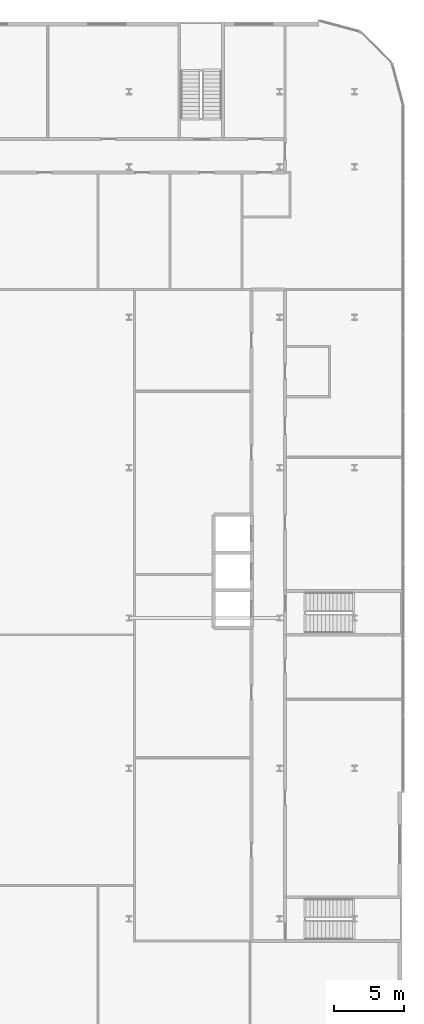
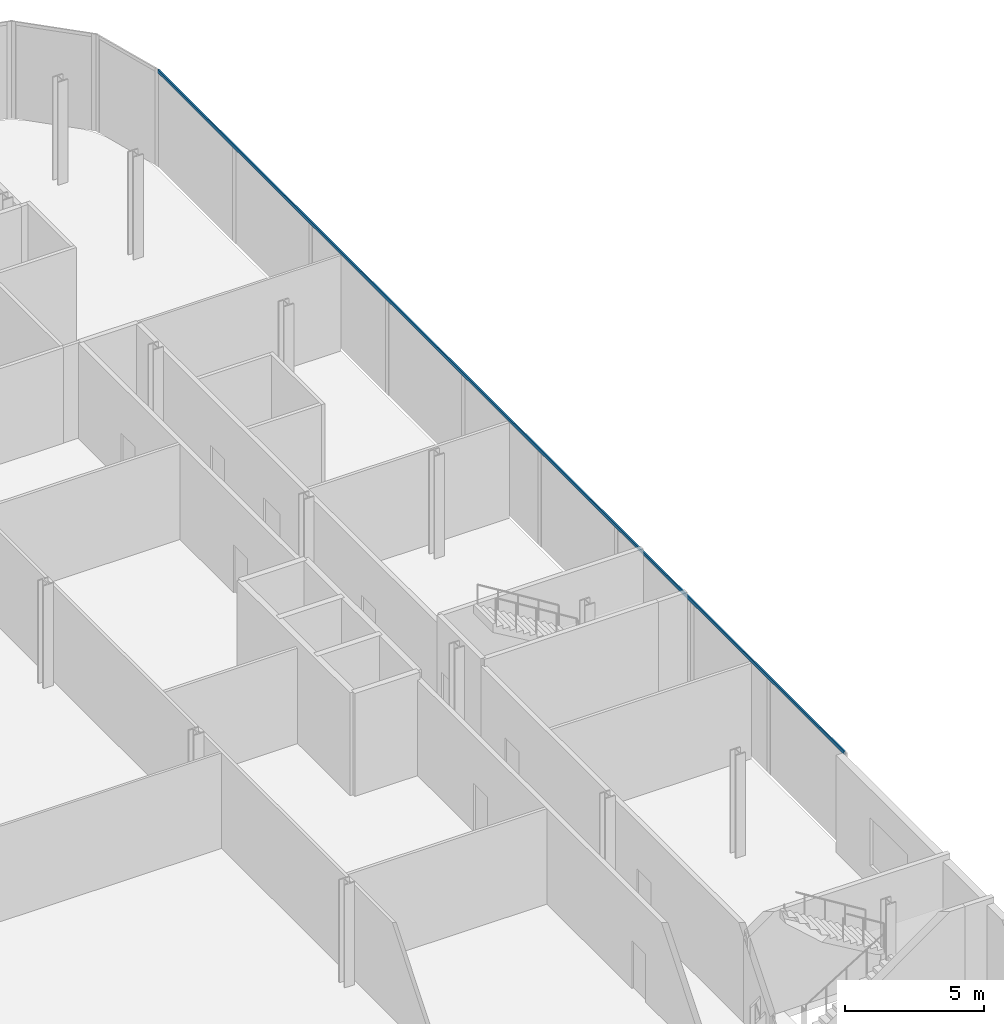
# One storey, part 20 of 47: 1 member, 1 element without a shape of its own.
"""IFC4 building model written with IfcOpenShell, lengths in metres."""

import ifcopenshell
import ifcopenshell.guid

model = None  # the IFC model being written
_history = None  # IfcOwnerHistory: only IFC2X3 demands one
_inside = {}  # id of a spatial element -> (the spatial element, [elements in it])
_under = {}  # id of a project, library or spatial element -> (it, [spatial elements below it])
_declared = {}  # id of a project -> (the project, [libraries it declares])
_typed = {}  # id of a type object -> (the type object, [elements of that type])
_made_of = {}  # id of a material, layer set ... -> (it, [elements and type objects made of it])


def new_model(schema):
    """Start an empty IFC model of exactly this schema.

    Asked for "IFC4X3", IfcOpenShell would pick the latest addendum, in which some entities
    have other attributes; the version numbers below select the first issue.
    IFC2X3 requires an IfcOwnerHistory on every rooted entity: one is made here for all.
    """
    global model, _history
    if schema == "IFC4X3":
        model = ifcopenshell.file(schema_version=(4, 3, 0, 0))
    else:
        model = ifcopenshell.file(schema=schema)
    _inside.clear()
    _under.clear()
    _declared.clear()
    _typed.clear()
    _made_of.clear()
    _history = None
    if model.schema == "IFC2X3":
        org = make("IfcOrganization", Name="unknown")
        user = make(
            "IfcPersonAndOrganization",
            ThePerson=make("IfcPerson", FamilyName="unknown"),
            TheOrganization=org,
        )
        app = make(
            "IfcApplication",
            ApplicationDeveloper=org,
            Version="unknown",
            ApplicationFullName="unknown",
            ApplicationIdentifier="unknown",
        )
        _history = make(
            "IfcOwnerHistory",
            OwningUser=user,
            OwningApplication=app,
            ChangeAction="ADDED",
            CreationDate=0,
        )
    return model


def make(cls, **values):
    """One entity of the class cls with the attributes given. An attribute that is None is left unset."""
    return model.create_entity(
        cls, **{name: value for name, value in values.items() if value is not None}
    )


def rooted(cls, **values):
    """An entity with a GlobalId (a new one), such as an element, a storey or a relation."""
    return make(cls, GlobalId=ifcopenshell.guid.new(), OwnerHistory=_history, **values)


def si_unit(unit_type, name, prefix=None):
    """IfcSIUnit, for example si_unit("LENGTHUNIT", "METRE", prefix="MILLI")."""
    return make("IfcSIUnit", UnitType=unit_type, Prefix=prefix, Name=name)


def assignment(units):
    """IfcUnitAssignment: the units of a project."""
    return None if units is None else make("IfcUnitAssignment", Units=units)


def point(xyz):
    """IfcCartesianPoint."""
    return None if xyz is None else make("IfcCartesianPoint", Coordinates=xyz)


def direction(xyz):
    """IfcDirection."""
    return None if xyz is None else make("IfcDirection", DirectionRatios=xyz)


def frame(location, z_axis=None, x_axis=None):
    """IfcAxis2Placement3D, a coordinate frame: its origin and axes. An axis left out is left unset."""
    return make(
        "IfcAxis2Placement3D",
        Location=point(location),
        Axis=direction(z_axis),
        RefDirection=direction(x_axis),
    )


def frame_2d(location, x_axis=None):
    """IfcAxis2Placement2D, a coordinate frame in the plane: its origin and x axis."""
    return make(
        "IfcAxis2Placement2D", Location=point(location), RefDirection=direction(x_axis)
    )


def origin():
    """The frame at (0, 0, 0) with its axes left unset."""
    return frame((0.0, 0.0, 0.0))


def origin_2d():
    """The frame at (0, 0) in the plane with its x axis left unset."""
    return frame_2d((0.0, 0.0))


def place(relative_to, where):
    """IfcLocalPlacement: puts the frame where relative to a parent placement (None: the world)."""
    return make(
        "IfcLocalPlacement", PlacementRelTo=relative_to, RelativePlacement=where
    )


def context(
    kind, dimensions, precision=None, world=None, true_north=None, identifier=None
):
    """IfcGeometricRepresentationContext, for example the 3D "Model" context."""
    return make(
        "IfcGeometricRepresentationContext",
        ContextIdentifier=identifier,
        ContextType=kind,
        CoordinateSpaceDimension=dimensions,
        Precision=precision,
        WorldCoordinateSystem=world,
        TrueNorth=true_north,
    )


def subcontext(parent, identifier, kind, view, scale=None):
    """IfcGeometricRepresentationSubContext, for example "Body" below "Model"."""
    return make(
        "IfcGeometricRepresentationSubContext",
        ContextIdentifier=identifier,
        ContextType=kind,
        ParentContext=parent,
        TargetScale=scale,
        TargetView=view,
    )


def project(units=None, contexts=None):
    """IfcProject with its units and contexts."""
    return rooted(
        "IfcProject",
        Name="project",
        RepresentationContexts=contexts,
        UnitsInContext=assignment(units),
    )


def spatial(cls, under=None, at=None, **own):
    """A site, building, storey or space (cls), placed at a placement, below another one or the project."""
    s = rooted(cls, ObjectPlacement=at, **own)
    if under is not None:
        _under.setdefault(under.id(), (under, []))[1].append(s)
    return s


def profile(cls, at=None, kind="AREA", **sizes):
    """A parametric profile (cls). Its sizes go by their IFC names, for example OverallWidth=200.0."""
    return make(cls, ProfileType=kind, Position=at, **sizes)


def rectangle(**sizes):
    """IfcRectangleProfileDef."""
    return profile("IfcRectangleProfileDef", **sizes)


def extrude(swept, where, along, depth):
    """IfcExtrudedAreaSolid: the profile swept, set in the frame where, extruded along a direction by depth."""
    return make(
        "IfcExtrudedAreaSolid",
        SweptArea=swept,
        Position=where,
        ExtrudedDirection=direction(along),
        Depth=depth,
    )


def shape(context_of_items, identifier, shape_type, items):
    """IfcShapeRepresentation: the items that make up one representation, for example the "Body"."""
    return make(
        "IfcShapeRepresentation",
        ContextOfItems=context_of_items,
        RepresentationIdentifier=identifier,
        RepresentationType=shape_type,
        Items=items,
    )


def material(Name=None, Category=None):
    """IfcMaterial."""
    return make("IfcMaterial", Name=Name, Category=Category)


def layer(
    of_material, thickness, ventilated=None, Name=None, Category=None, Priority=None
):
    """IfcMaterialLayer: one layer of a wall or slab, of a material (None: an air gap)."""
    return make(
        "IfcMaterialLayer",
        Material=of_material,
        LayerThickness=thickness,
        IsVentilated=ventilated,
        Name=Name,
        Category=Category,
        Priority=Priority,
    )


def layer_set(layers, Name=None):
    """IfcMaterialLayerSet."""
    return make("IfcMaterialLayerSet", MaterialLayers=layers, LayerSetName=Name)


def material_profile(
    of_material, cross_section, Name=None, Category=None, Priority=None
):
    """IfcMaterialProfile: a cross section and its material."""
    return make(
        "IfcMaterialProfile",
        Name=Name,
        Material=of_material,
        Profile=cross_section,
        Priority=Priority,
        Category=Category,
    )


def profile_set(profiles, Name=None, composite=None):
    """IfcMaterialProfileSet."""
    return make(
        "IfcMaterialProfileSet",
        Name=Name,
        MaterialProfiles=profiles,
        CompositeProfile=composite,
    )


def made_of(thing, what):
    """Note that an element or type object is made of a material, layer set ...; save() writes the relation."""
    if what is not None:
        _made_of.setdefault(what.id(), (what, []))[1].append(thing)
    return thing


def type_object(cls, material=None, **own):
    """A type object (cls), such as IfcWallType, which elements share."""
    return made_of(rooted(cls, **own), material)


def element(
    cls,
    number,
    at=None,
    inside=None,
    cuts=None,
    type_object=None,
    material=None,
    context=None,
    identifier="Body",
    shape_type=None,
    held_by="IfcProductDefinitionShape",
    body=None,
    shapes=None,
    **own,
):
    """One element of the class cls, such as IfcWall. Its Tag is "e" and its number.

    at: its placement. inside: the storey or other place that contains it. cuts: it is an
    opening in that element (IfcRelVoidsElement). A single representation is given by context,
    identifier, shape_type and body (its items); several are given by shapes. held_by: the class
    of the entity that holds the representations. save() writes the other relations.
    """
    e = rooted(cls, Tag="e%d" % number, ObjectPlacement=at, **own)
    if body is not None:
        shapes = [shape(context, identifier, shape_type, body)]
    if shapes is not None:
        e.Representation = make(held_by, Representations=shapes)
    if inside is not None:
        _inside.setdefault(inside.id(), (inside, []))[1].append(e)
    if cuts is not None:
        rooted(
            "IfcRelVoidsElement", RelatingBuildingElement=cuts, RelatedOpeningElement=e
        )
    if type_object is not None:
        _typed.setdefault(type_object.id(), (type_object, []))[1].append(e)
    return made_of(e, material)


def aggregate(whole, parts):
    """IfcRelAggregates: a whole, such as a stair, and the parts it consists of."""
    return rooted("IfcRelAggregates", RelatingObject=whole, RelatedObjects=parts)


def save(model, path):
    """Write the relations noted so far, then the file.

    IfcRelAggregates (storeys below a building ...), IfcRelContainedInSpatialStructure (elements
    in a storey), IfcRelDefinesByType, IfcRelAssociatesMaterial and IfcRelDeclares: one each for
    every whole, place, type object, material and project.
    """
    for whole, parts in _under.values():
        aggregate(whole, parts)
    for where, things in _inside.values():
        rooted(
            "IfcRelContainedInSpatialStructure",
            RelatedElements=things,
            RelatingStructure=where,
        )
    for kind, things in _typed.values():
        rooted("IfcRelDefinesByType", RelatedObjects=things, RelatingType=kind)
    for what, things in _made_of.values():
        rooted("IfcRelAssociatesMaterial", RelatedObjects=things, RelatingMaterial=what)
    for by, libraries in _declared.values():
        rooted("IfcRelDeclares", RelatingContext=by, RelatedDefinitions=libraries)
    model.write(path)


model = new_model("IFC4")

# Units and contexts
model_context = context("Model", 3, precision=1e-05, world=origin(), true_north=direction((0.0, 1.0)))
body_context = subcontext(model_context, "Body", "Model", "MODEL_VIEW")
ifc_project = project(units=[si_unit("LENGTHUNIT", "METRE"), si_unit("AREAUNIT", "SQUARE_METRE"), si_unit("VOLUMEUNIT", "CUBIC_METRE"), si_unit("PLANEANGLEUNIT", "RADIAN"), si_unit("MASSUNIT", "GRAM", prefix="KILO")], contexts=[model_context])

# Site, building, storey
site_placement = place(None, origin())
site = spatial("IfcSite", under=ifc_project, at=site_placement, CompositionType="ELEMENT")
building_placement = place(site_placement, origin())
building = spatial("IfcBuilding", under=site, at=building_placement, Name="Kheshtan School and Residences Tower", CompositionType="ELEMENT")
storey_placement = place(building_placement, frame((0.0, 0.0, 12.5)))
storey = spatial("IfcBuildingStorey", under=building, at=storey_placement, Name="L02", CompositionType="ELEMENT", Elevation=12.5)

# Curtain wall, member
ifc_material_1 = material(Name="Clear low-e glass in thermally broken aluminium frame", Category="aluminium")
ifc_layer = layer(ifc_material_1, 0.22509765625)
ifc_layer_set = layer_set([ifc_layer], Name="Curtain wall CW-P")
curtain_wall_type = type_object("IfcCurtainWallType", Name="Curtain wall CW-P", PredefinedType="NOTDEFINED", material=ifc_layer_set)
curtain_wall_placement = place(storey_placement, origin())
curtain_wall = element("IfcCurtainWall", 1, at=curtain_wall_placement, inside=storey, type_object=curtain_wall_type, Name="Curtain wall CWP8a", PredefinedType="NOTDEFINED")
ifc_material_2 = material(Name="Thermally broken aluminium, dark bronze anodised", Category="aluminium")
ifc_material_profile = material_profile(ifc_material_2, rectangle(XDim=0.06005859375, YDim=0.139892578125, at=origin_2d()), Name="CW-P transom 60x140")
ifc_profile_set = profile_set([ifc_material_profile], Name="Thermally broken aluminium, dark bronze anodised")
member_type = type_object("IfcMemberType", Name="CW-P transom 60x140", PredefinedType="USERDEFINED", material=ifc_profile_set)
member_placement = place(storey_placement, frame((132.10009765625, 104.02490234375, 4.179931640625), z_axis=(0.0, -1.0, 0.0), x_axis=(1.0, 0.0, 0.0)))
member = element("IfcMember", 2, at=member_placement, type_object=member_type, Name="CWP8a transom 1", ObjectType="TRANSOM", PredefinedType="USERDEFINED", context=body_context, shape_type="SweptSolid", body=[
    extrude(rectangle(XDim=0.06005859375, YDim=0.139892578125, at=origin_2d()), origin(), (0.0, 0.0, 1.0), 49.244873046875),
])
aggregate(curtain_wall, [member])

save(model, "model.ifc")
